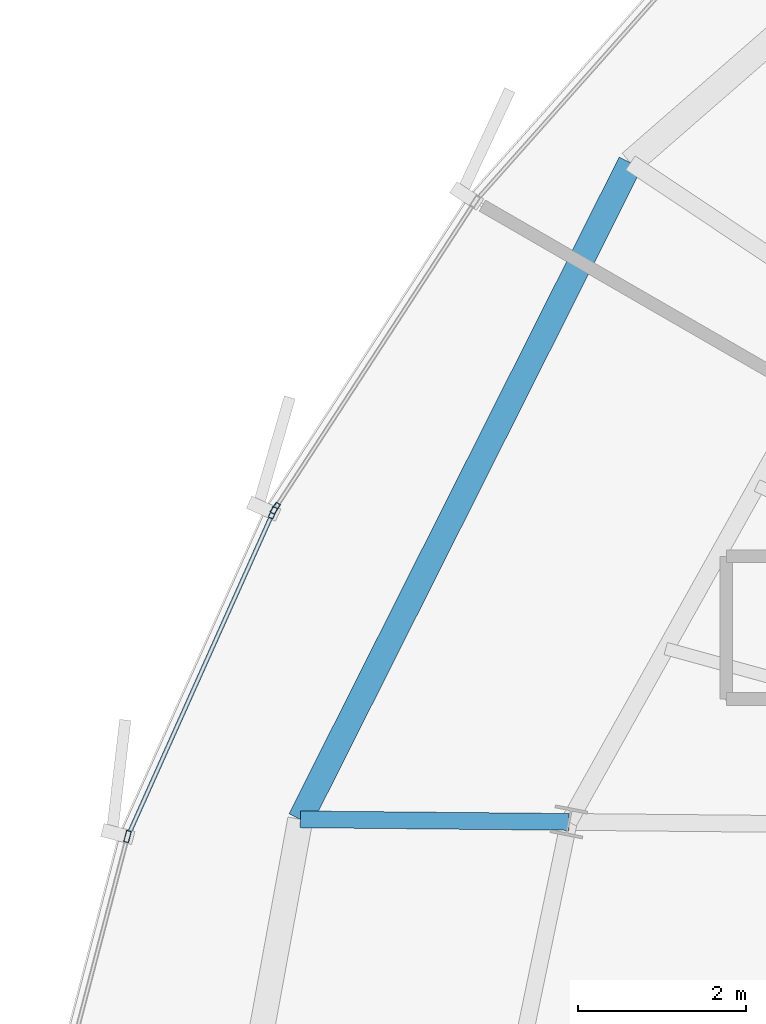
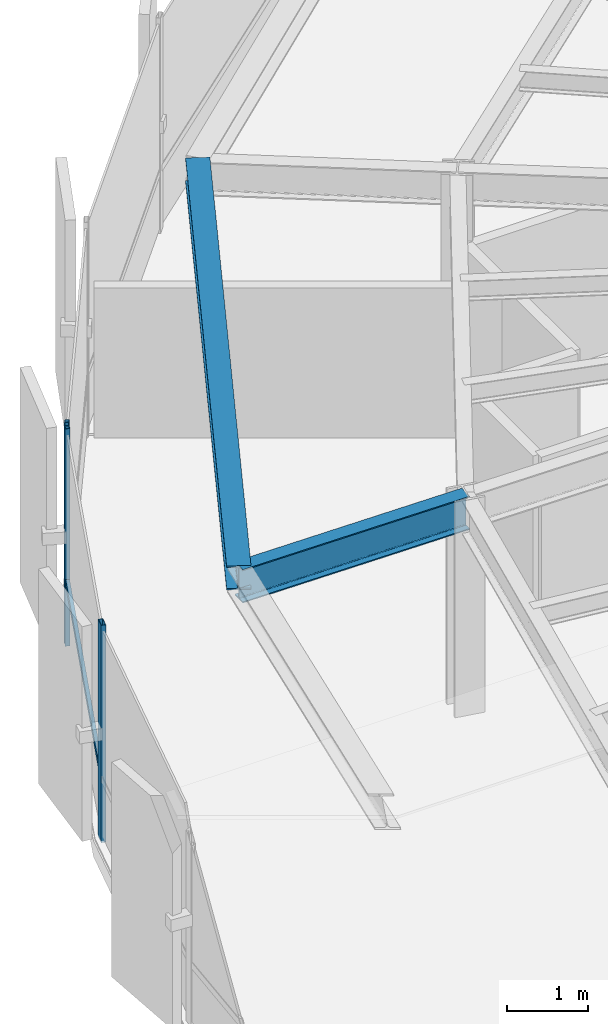
# One storey, part 11 of 35: 4 members, 2 beams, 2 elements without a shape of their own.
"""IFC4 building model written with IfcOpenShell, lengths in metres."""

from ifc_helpers import new_model, si_unit, direction, frame, origin, origin_2d, place, context, subcontext, project, spatial, hollow_rectangle, i_section, extrude, source, transform, mapped, material, layer, layer_set, material_profile, profile_set, type_object, element, aggregate, save


model = new_model("IFC4")

# Units and contexts
model_context = context("Model", 3, precision=1e-05, world=origin(), true_north=direction((0.0, 1.0)))
body_context = subcontext(model_context, "Body", "Model", "MODEL_VIEW")
ifc_project = project(units=[si_unit("LENGTHUNIT", "METRE"), si_unit("AREAUNIT", "SQUARE_METRE"), si_unit("VOLUMEUNIT", "CUBIC_METRE"), si_unit("PLANEANGLEUNIT", "RADIAN"), si_unit("MASSUNIT", "GRAM", prefix="KILO"), si_unit("THERMODYNAMICTEMPERATUREUNIT", "KELVIN")], contexts=[model_context])

# Site, building, storey
site_placement = place(None, origin())
site = spatial("IfcSite", under=ifc_project, at=site_placement, CompositionType="ELEMENT")
building_placement = place(site_placement, origin())
building = spatial("IfcBuilding", under=site, at=building_placement, Name="Kethvar Cultural Tower", CompositionType="ELEMENT")
storey_placement = place(building_placement, frame((0.0, 0.0, 179.89990234375)))
storey = spatial("IfcBuildingStorey", under=building, at=storey_placement, Name="L46", CompositionType="ELEMENT", Elevation=179.89990234375)

# Beams
ifc_material_1 = material(Name="Steel S355J2", Category="steel")
ifc_material_profile_1 = material_profile(ifc_material_1, i_section(OverallWidth=0.199951171875, OverallDepth=0.5, WebThickness=0.01025390625, FlangeThickness=0.01611328125, FilletRadius=0.02099609375, at=origin_2d()), Name="Steel S355J2 — IPE500")
ifc_profile_set_1 = profile_set([ifc_material_profile_1], Name="Steel S355J2 — IPE500")
beam_type_1 = type_object("IfcBeamType", Name="BM-IPE500", PredefinedType="BEAM", material=ifc_profile_set_1)
shared_shape_1 = source(origin(), body_context, "Body", "SweptSolid", [
    extrude(i_section(OverallWidth=0.199951171875, OverallDepth=0.5, WebThickness=0.01025390625, FlangeThickness=0.01611328125, FilletRadius=0.02099609375, at=origin_2d()), origin(), (0.0, 0.0, 1.0), 3.2001953125),
])
beam_1_placement = place(storey_placement, frame((29.02490234375, 31.335693359375, 3.008056640625), z_axis=(-0.999954526979, 0.009536455014, 0.0), x_axis=(-0.009536455014, -0.999954526979, 0.0)))
element("IfcBeam", 1, at=beam_1_placement, inside=storey, type_object=beam_type_1, Name="L46 Perimeter Cantilever Beam RC-08", PredefinedType="BEAM", context=body_context, shape_type="MappedRepresentation", body=[
    mapped(shared_shape_1, transform((0.0, 0.0, 0.0), scale=1.0)),
])
ifc_material_profile_2 = material_profile(ifc_material_1, i_section(OverallWidth=0.300048828125, OverallDepth=0.360107421875, WebThickness=0.012451171875, FlangeThickness=0.0224609375, FilletRadius=0.027099609375, at=origin_2d()), Name="Steel S355J2 — HEB360")
ifc_profile_set_2 = profile_set([ifc_material_profile_2], Name="Steel S355J2 — HEB360")
beam_type_2 = type_object("IfcBeamType", Name="BM-SP360", PredefinedType="SPANDREL", material=ifc_profile_set_2)
shared_shape_2 = source(origin(), body_context, "Body", "SweptSolid", [
    extrude(i_section(OverallWidth=0.300048828125, OverallDepth=0.360107421875, WebThickness=0.012451171875, FlangeThickness=0.0224609375, FilletRadius=0.027099609375, at=origin_2d()), origin(), (0.0, 0.0, 1.0), 8.754150390625),
])
beam_2_placement = place(storey_placement, frame((29.757568359375, 39.187255859375, 3.078125), z_axis=(-0.449231599727, -0.893415340033, 0.0), x_axis=(0.893415340033, -0.449231599727, 0.0)))
element("IfcBeam", 2, at=beam_2_placement, inside=storey, type_object=beam_type_2, Name="L46 Perimeter Spandrel Beam SP-07", PredefinedType="SPANDREL", context=body_context, shape_type="MappedRepresentation", body=[
    mapped(shared_shape_2, transform((0.0, 0.0, 0.0), scale=1.0)),
])

# Curtain wall, member
ifc_material_2 = material(Name="Aluminium 6063-T6", Category="aluminium")
ifc_layer = layer(ifc_material_2, 0.179931640625, Name="Aluminium 6063-T6", Category="aluminium")
ifc_layer_set = layer_set([ifc_layer], Name="Aluminium 6063-T6 (180 mm)")
curtain_wall_type = type_object("IfcCurtainWallType", Name="CW-SYS-04-Z34", PredefinedType="NOTDEFINED", material=ifc_layer_set)
curtain_wall_1_placement = place(storey_placement, origin())
curtain_wall_1 = element("IfcCurtainWall", 3, at=curtain_wall_1_placement, inside=storey, type_object=curtain_wall_type, Name="L46 Curtain Wall Run 02", PredefinedType="NOTDEFINED")
ifc_material_profile_3 = material_profile(ifc_material_2, hollow_rectangle(XDim=0.06005859375, YDim=0.139892578125, WallThickness=0.0048828125, at=origin_2d()), Name="Aluminium 6063-T6 — RHS140x60x5")
ifc_profile_set_3 = profile_set([ifc_material_profile_3], Name="Aluminium 6063-T6 — RHS140x60x5")
member_type_1 = type_object("IfcMemberType", Name="CW-SYS-04-Z34-MUL", PredefinedType="MULLION", material=ifc_profile_set_3)
shared_shape_3 = source(origin(), body_context, "Body", "SweptSolid", [
    extrude(hollow_rectangle(XDim=0.06005859375, YDim=0.139892578125, WallThickness=0.0048828125, at=origin_2d()), origin(), (0.0, 0.0, 1.0), 3.260009765625),
])
member_1_placement = place(storey_placement, frame((25.52685546875, 35.071533203125, 0.0), z_axis=(0.0, 0.0, 1.0), x_axis=(0.837909291125, -0.545809508754, 0.0)))
member_1 = element("IfcMember", 4, at=member_1_placement, type_object=member_type_1, Name="CW-L46-R02 Mullion 7", PredefinedType="MULLION", context=body_context, shape_type="MappedRepresentation", body=[
    mapped(shared_shape_3, transform((0.0, 0.0, 0.0), scale=1.0)),
])
aggregate(curtain_wall_1, [member_1])

# Curtain wall, members
curtain_wall_2_placement = place(storey_placement, origin())
curtain_wall_2 = element("IfcCurtainWall", 5, at=curtain_wall_2_placement, inside=storey, type_object=curtain_wall_type, Name="L46 Curtain Wall Run 03", PredefinedType="NOTDEFINED")
member_2_placement = place(storey_placement, frame((25.497802734375, 35.018310546875, 0.0), z_axis=(0.0, 0.0, 1.0), x_axis=(0.912527471619, -0.409015419686, 0.0)))
member_2 = element("IfcMember", 6, at=member_2_placement, type_object=member_type_1, Name="CW-L46-R03 Mullion 1", PredefinedType="MULLION", context=body_context, shape_type="MappedRepresentation", body=[
    mapped(shared_shape_3, transform((0.0, 0.0, 0.0), scale=1.0)),
])
member_3_placement = place(storey_placement, frame((23.76708984375, 31.161376953125, 0.0), z_axis=(0.0, 0.0, 1.0), x_axis=(0.967466755449, -0.252998176081, 0.0)))
member_3 = element("IfcMember", 7, at=member_3_placement, type_object=member_type_1, Name="CW-L46-R03 Mullion 2", PredefinedType="MULLION", context=body_context, shape_type="MappedRepresentation", body=[
    mapped(shared_shape_3, transform((0.0, 0.0, 0.0), scale=1.0)),
])
ifc_material_profile_4 = material_profile(ifc_material_2, hollow_rectangle(XDim=0.050048828125, YDim=0.10009765625, WallThickness=0.00390625, at=origin_2d()), Name="Aluminium 6063-T6 — RHS100x50x4")
ifc_profile_set_4 = profile_set([ifc_material_profile_4], Name="Aluminium 6063-T6 — RHS100x50x4")
member_type_2 = type_object("IfcMemberType", Name="CW-SYS-04-Z34-TRN", PredefinedType="USERDEFINED", material=ifc_profile_set_4)
shared_shape_4 = source(origin(), body_context, "Body", "SweptSolid", [
    extrude(hollow_rectangle(XDim=0.050048828125, YDim=0.10009765625, WallThickness=0.00390625, at=origin_2d()), origin(), (0.0, 0.0, 1.0), 4.197998046875),
])
member_4_placement = place(storey_placement, frame((25.49609375, 35.014404296875, 0.9501953125), z_axis=(-0.409060913461, -0.91250707892, 0.0), x_axis=(0.91250707892, -0.409060913461, 0.0)))
member_4 = element("IfcMember", 8, at=member_4_placement, type_object=member_type_2, Name="CW-L46-R03 Transom 1", ObjectType="TRANSOM", PredefinedType="USERDEFINED", context=body_context, shape_type="MappedRepresentation", body=[
    mapped(shared_shape_4, transform((0.0, 0.0, 0.0), scale=1.0)),
])
aggregate(curtain_wall_2, [member_2, member_3, member_4])

save(model, "model.ifc")
